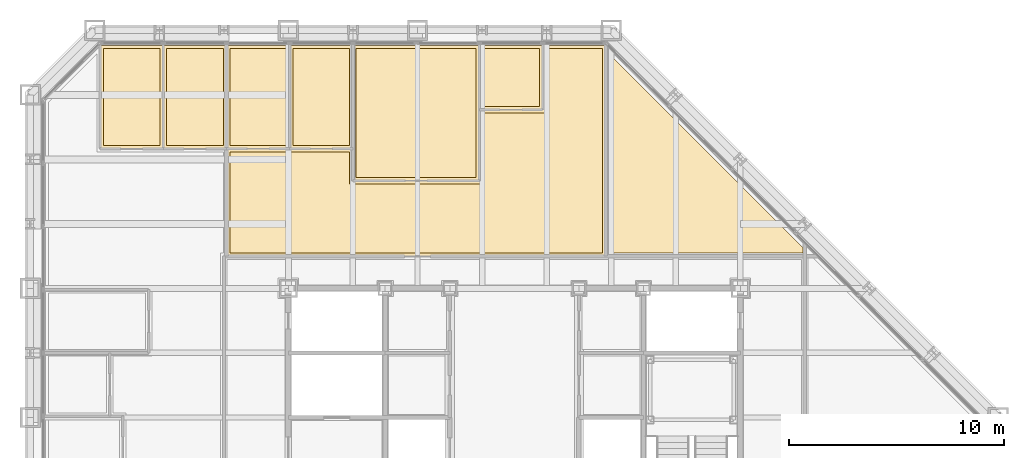
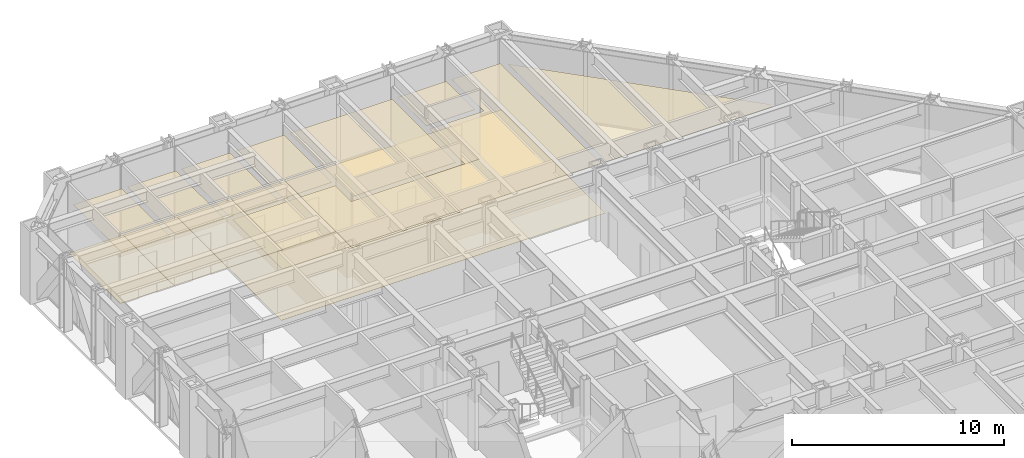
# One storey, part 16 of 16: 15 coverings.
"""IFC4 building model written with IfcOpenShell, lengths in metres."""

from ifc_helpers import new_model, si_unit, direction, frame, origin, place, context, subcontext, project, spatial, polyline, outline, extrude, material, layer, layer_set, type_object, element, save


model = new_model("IFC4")

# Units and contexts
model_context = context("Model", 3, precision=1e-05, world=origin(), true_north=direction((0.0, 1.0)))
body_context = subcontext(model_context, "Body", "Model", "MODEL_VIEW")
ifc_project = project(units=[si_unit("LENGTHUNIT", "METRE"), si_unit("AREAUNIT", "SQUARE_METRE"), si_unit("VOLUMEUNIT", "CUBIC_METRE"), si_unit("PLANEANGLEUNIT", "RADIAN"), si_unit("MASSUNIT", "GRAM", prefix="KILO")], contexts=[model_context])

# Site, building, storey
site_placement = place(None, origin())
site = spatial("IfcSite", under=ifc_project, at=site_placement, CompositionType="ELEMENT")
building_placement = place(site_placement, origin())
building = spatial("IfcBuilding", under=site, at=building_placement, Name="Chuquiago Exchange Tower", CompositionType="ELEMENT")
storey_placement = place(building_placement, frame((0.0, 0.0, 144.60009765625)))
storey = spatial("IfcBuildingStorey", under=building, at=storey_placement, Name="L31", CompositionType="ELEMENT", Elevation=144.60009765625)

# Coverings
ifc_material_1 = material(Name="Mineral fibre tile, 600 x 600, on pale metal grid", Category="mineral fibre")
ifc_layer_1 = layer(ifc_material_1, 0.02001953125)
ifc_layer_set_1 = layer_set([ifc_layer_1], Name="CL1 suspended tile ceiling 20")
covering_type_1 = type_object("IfcCoveringType", Name="CL1 suspended tile ceiling 20", PredefinedType="CEILING", material=ifc_layer_set_1)
covering_1_placement = place(storey_placement, frame((0.0, 0.0, 2.7998046875)))
element("IfcCovering", 1, at=covering_1_placement, inside=storey, type_object=covering_type_1, Name="Ceiling Office", PredefinedType="CEILING", context=body_context, shape_type="SweptSolid", body=[
    extrude(outline(polyline([(6.036376953125, 44.14990234375), (6.036376953125, 39.64990234375), (3.3984375, 39.64990234375), (3.3984375, 44.14990234375), (6.036376953125, 44.14990234375)])), origin(), (0.0, 0.0, 1.0), 0.02001953125),
])
covering_2_placement = place(storey_placement, frame((0.0, 0.0, 2.7998046875)))
element("IfcCovering", 2, at=covering_2_placement, inside=storey, type_object=covering_type_1, Name="Ceiling Office", PredefinedType="CEILING", context=body_context, shape_type="SweptSolid", body=[
    extrude(outline(polyline([(8.974365234375, 39.64990234375), (6.33642578125, 39.64990234375), (6.33642578125, 44.14990234375), (8.974365234375, 44.14990234375), (8.974365234375, 39.64990234375)])), origin(), (0.0, 0.0, 1.0), 0.02001953125),
])
covering_3_placement = place(storey_placement, frame((0.0, 0.0, 2.7998046875)))
element("IfcCovering", 3, at=covering_3_placement, inside=storey, type_object=covering_type_1, Name="Ceiling Office", PredefinedType="CEILING", context=body_context, shape_type="SweptSolid", body=[
    extrude(outline(polyline([(11.912109375, 39.64990234375), (9.2744140625, 39.64990234375), (9.2744140625, 44.14990234375), (11.912109375, 44.14990234375), (11.912109375, 39.64990234375)])), origin(), (0.0, 0.0, 1.0), 0.02001953125),
])
covering_4_placement = place(storey_placement, frame((0.0, 0.0, 2.7998046875)))
element("IfcCovering", 4, at=covering_4_placement, inside=storey, type_object=covering_type_1, Name="Ceiling Office", PredefinedType="CEILING", context=body_context, shape_type="SweptSolid", body=[
    extrude(outline(polyline([(14.85009765625, 39.64990234375), (12.212158203125, 39.64990234375), (12.212158203125, 44.14990234375), (14.85009765625, 44.14990234375), (14.85009765625, 39.64990234375)])), origin(), (0.0, 0.0, 1.0), 0.02001953125),
])
covering_5_placement = place(storey_placement, frame((0.0, 0.0, 2.7998046875)))
element("IfcCovering", 5, at=covering_5_placement, inside=storey, type_object=covering_type_1, Name="Ceiling Conference room", PredefinedType="CEILING", context=body_context, shape_type="SweptSolid", body=[
    extrude(outline(polyline([(20.7255859375, 38.14990234375), (15.14990234375, 38.14990234375), (15.14990234375, 44.14990234375), (20.7255859375, 44.14990234375), (20.7255859375, 38.14990234375)])), origin(), (0.0, 0.0, 1.0), 0.02001953125),
])
covering_6_placement = place(storey_placement, frame((0.0, 0.0, 2.7998046875)))
element("IfcCovering", 6, at=covering_6_placement, inside=storey, type_object=covering_type_1, Name="Ceiling Focus room", PredefinedType="CEILING", context=body_context, shape_type="SweptSolid", body=[
    extrude(outline(polyline([(23.66357421875, 41.449951171875), (21.025634765625, 41.449951171875), (21.025634765625, 44.14990234375), (23.66357421875, 44.14990234375), (23.66357421875, 41.449951171875)])), origin(), (0.0, 0.0, 1.0), 0.02001953125),
])
covering_7_placement = place(storey_placement, frame((0.0, 0.0, 2.7998046875)))
element("IfcCovering", 7, at=covering_7_placement, inside=storey, type_object=covering_type_1, Name="Ceiling Open office north suite", PredefinedType="CEILING", context=body_context, shape_type="SweptSolid", body=[
    extrude(outline(polyline([(14.85009765625, 39.35009765625), (14.85009765625, 37.85009765625), (21.025634765625, 37.85009765625), (21.025634765625, 41.14990234375), (23.963623046875, 41.14990234375), (23.963623046875, 44.14990234375), (26.60107421875, 44.14990234375), (26.60107421875, 34.650390625), (9.27490234375, 34.650390625), (9.27490234375, 39.35009765625), (14.85009765625, 39.35009765625)])), origin(), (0.0, 0.0, 1.0), 0.02001953125),
])
covering_8_placement = place(storey_placement, frame((0.0, 0.0, 2.7998046875)))
element("IfcCovering", 8, at=covering_8_placement, inside=storey, type_object=covering_type_1, Name="Ceiling Open office east suite", PredefinedType="CEILING", context=body_context, shape_type="SweptSolid", body=[
    extrude(outline(polyline([(26.902099609375, 34.650390625), (26.902099609375, 43.89599609375), (35.9150390625, 34.883056640625), (35.9150390625, 34.650146484375), (26.902099609375, 34.650390625)])), origin(), (0.0, 0.0, 1.0), 0.02001953125),
])
ifc_material_2 = material(Name="Carpet tile, 500 x 500, on the floor slab", Category="textile")
ifc_layer_2 = layer(ifc_material_2, 0.010009765625)
ifc_layer_set_2 = layer_set([ifc_layer_2], Name="FL1 carpet tile 10")
covering_type_2 = type_object("IfcCoveringType", Name="FL1 carpet tile 10", PredefinedType="FLOORING", material=ifc_layer_set_2)
covering_9_placement = place(storey_placement, origin())
element("IfcCovering", 9, at=covering_9_placement, inside=storey, type_object=covering_type_2, Name="Floor finish Office", PredefinedType="FLOORING", context=body_context, shape_type="SweptSolid", body=[
    extrude(outline(polyline([(3.289794921875, 44.300048828125), (6.186279296875, 44.300048828125), (6.186279296875, 39.5), (3.24853515625, 39.5), (3.24853515625, 44.258544921875), (3.289794921875, 44.300048828125)])), origin(), (0.0, 0.0, 1.0), 0.010009765625),
])
covering_10_placement = place(storey_placement, origin())
element("IfcCovering", 10, at=covering_10_placement, inside=storey, type_object=covering_type_2, Name="Floor finish Office", PredefinedType="FLOORING", context=body_context, shape_type="SweptSolid", body=[
    extrude(outline(polyline([(9.124267578125, 44.300048828125), (9.124267578125, 39.5), (6.186279296875, 39.5), (6.186279296875, 44.300048828125), (9.124267578125, 44.300048828125)])), origin(), (0.0, 0.0, 1.0), 0.010009765625),
])
covering_11_placement = place(storey_placement, origin())
element("IfcCovering", 11, at=covering_11_placement, inside=storey, type_object=covering_type_2, Name="Floor finish Office", PredefinedType="FLOORING", context=body_context, shape_type="SweptSolid", body=[
    extrude(outline(polyline([(12.06201171875, 44.300048828125), (12.06201171875, 39.5), (9.124267578125, 39.5), (9.124267578125, 44.300048828125), (12.06201171875, 44.300048828125)])), origin(), (0.0, 0.0, 1.0), 0.010009765625),
])
covering_12_placement = place(storey_placement, origin())
element("IfcCovering", 12, at=covering_12_placement, inside=storey, type_object=covering_type_2, Name="Floor finish Office", PredefinedType="FLOORING", context=body_context, shape_type="SweptSolid", body=[
    extrude(outline(polyline([(15.0, 44.300048828125), (15.0, 39.5), (12.06201171875, 39.5), (12.06201171875, 44.300048828125), (15.0, 44.300048828125)])), origin(), (0.0, 0.0, 1.0), 0.010009765625),
])
covering_13_placement = place(storey_placement, origin())
element("IfcCovering", 13, at=covering_13_placement, inside=storey, type_object=covering_type_2, Name="Floor finish Conference room", PredefinedType="FLOORING", context=body_context, shape_type="SweptSolid", body=[
    extrude(outline(polyline([(20.875732421875, 44.300048828125), (20.875732421875, 38.0), (15.0, 38.0), (15.0, 44.300048828125), (20.875732421875, 44.300048828125)])), origin(), (0.0, 0.0, 1.0), 0.010009765625),
])
covering_14_placement = place(storey_placement, origin())
element("IfcCovering", 14, at=covering_14_placement, inside=storey, type_object=covering_type_2, Name="Floor finish Focus room", PredefinedType="FLOORING", context=body_context, shape_type="SweptSolid", body=[
    extrude(outline(polyline([(23.813720703125, 44.300048828125), (23.813720703125, 41.300048828125), (20.875732421875, 41.300048828125), (20.875732421875, 44.300048828125), (23.813720703125, 44.300048828125)])), origin(), (0.0, 0.0, 1.0), 0.010009765625),
])
covering_15_placement = place(storey_placement, origin())
element("IfcCovering", 15, at=covering_15_placement, inside=storey, type_object=covering_type_2, Name="Floor finish Open office north suite", PredefinedType="FLOORING", context=body_context, shape_type="SweptSolid", body=[
    extrude(outline(polyline([(9.124755859375, 39.5), (15.0, 39.5), (15.0, 38.0), (20.875732421875, 38.0), (20.875732421875, 41.300048828125), (23.813720703125, 41.300048828125), (23.813720703125, 44.300048828125), (26.710205078125, 44.300048828125), (26.751220703125, 44.2587890625), (26.7509765625, 34.50048828125), (9.124755859375, 34.50048828125), (9.124755859375, 39.5)])), origin(), (0.0, 0.0, 1.0), 0.010009765625),
])

save(model, "model.ifc")
